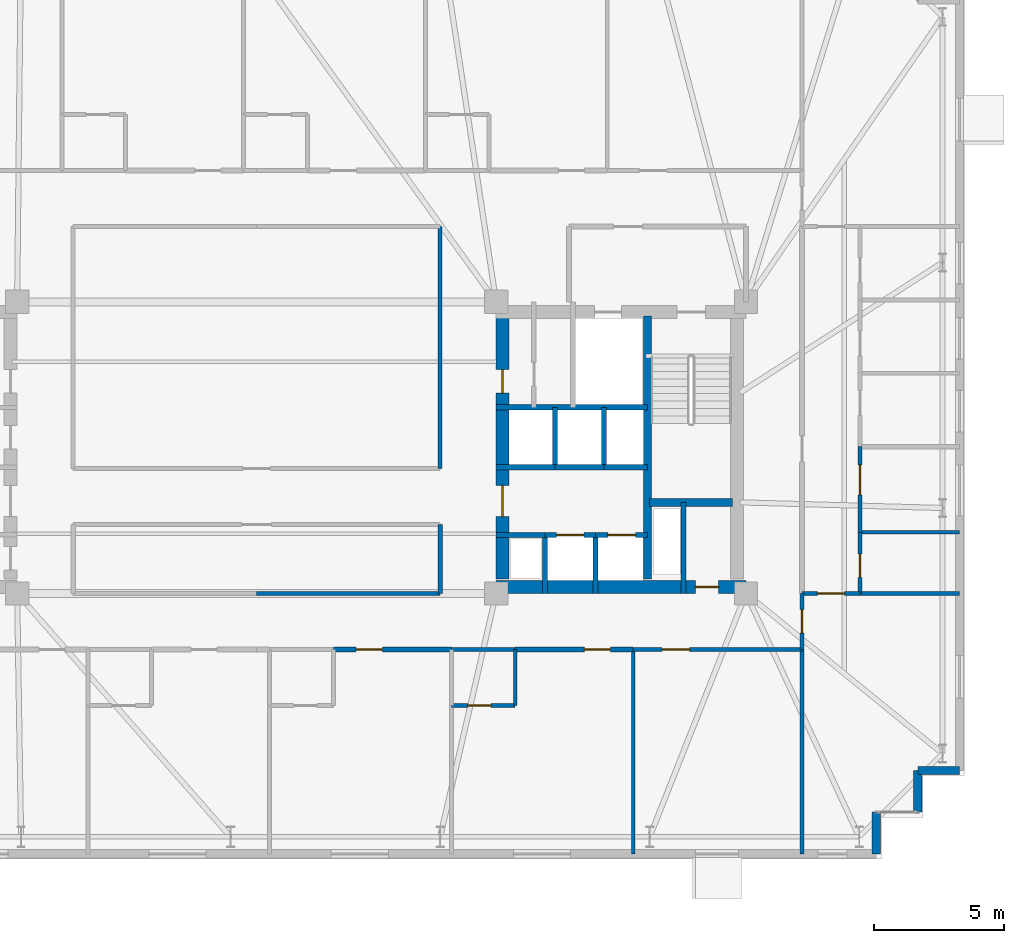
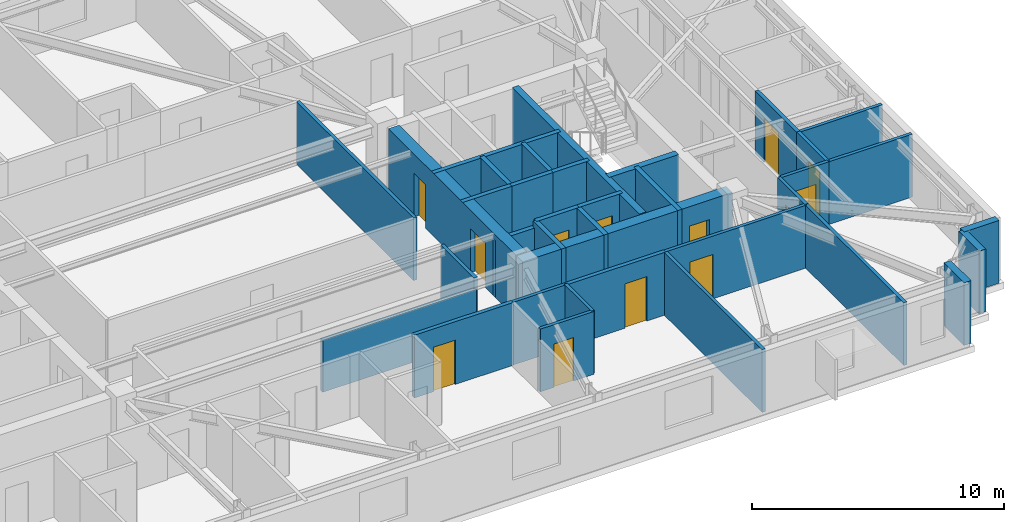
# One storey, part 13 of 17: 36 walls, 13 doors, 13 openings.
"""IFC4 building model written with IfcOpenShell, lengths in metres."""

from ifc_helpers import new_model, si_unit, direction, frame, frame_2d, origin, place, context, subcontext, project, spatial, rectangle, extrude, material, layer, layer_set, type_object, element, fill, save


model = new_model("IFC4")

# Units and contexts
model_context = context("Model", 3, precision=1e-05, world=origin(), true_north=direction((0.0, 1.0)))
body_context = subcontext(model_context, "Body", "Model", "MODEL_VIEW")
ifc_project = project(units=[si_unit("LENGTHUNIT", "METRE"), si_unit("AREAUNIT", "SQUARE_METRE"), si_unit("VOLUMEUNIT", "CUBIC_METRE"), si_unit("PLANEANGLEUNIT", "RADIAN"), si_unit("MASSUNIT", "GRAM", prefix="KILO")], contexts=[model_context])

# Site, building, storey
site_placement = place(None, origin())
site = spatial("IfcSite", under=ifc_project, at=site_placement, CompositionType="ELEMENT")
building_placement = place(site_placement, origin())
building = spatial("IfcBuilding", under=site, at=building_placement, Name="Qobustan Lattice House", CompositionType="ELEMENT")
storey_placement = place(building_placement, frame((0.0, 0.0, 161.14990234375)))
storey = spatial("IfcBuildingStorey", under=building, at=storey_placement, Name="L45", CompositionType="ELEMENT", Elevation=161.14990234375)

# Wall, opening, door
ifc_material_1 = material(Name="Concrete C50/60", Category="concrete")
ifc_layer_1 = layer(ifc_material_1, 0.5)
ifc_layer_set_1 = layer_set([ifc_layer_1], Name="Concrete C50/60")
wall_type_1 = type_object("IfcWallType", Name="WAL-CORE-500", PredefinedType="SHEAR", material=ifc_layer_set_1)
wall_1_placement = place(storey_placement, frame((9.199951171875, -5.35009765625, 0.0), z_axis=(0.0, 0.0, 1.0), x_axis=(1.0, 0.0, 0.0)))
wall_1 = element("IfcWall", 1, at=wall_1_placement, inside=storey, type_object=wall_type_1, Name="L45 split-core shear wall CE-S", PredefinedType="SHEAR", context=body_context, shape_type="SweptSolid", body=[
    extrude(rectangle(XDim=9.60009765625, YDim=0.5, at=frame_2d((4.800048828125, 0.0))), origin(), (0.0, 0.0, 1.0), 3.0400390625),
])
opening_1_placement = place(wall_1_placement, frame((7.64990234375, 0.0, 0.0)))
opening_1 = element("IfcOpeningElement", 2, at=opening_1_placement, cuts=wall_1, Name="Opening RD-01", PredefinedType="OPENING", context=body_context, shape_type="SweptSolid", body=[
    extrude(rectangle(XDim=0.89990234375, YDim=2.10009765625, at=frame_2d((0.449951171875, 1.050048828125))), frame((0.0, 0.260009765625, 0.0), z_axis=(0.0, -1.0, 0.0), x_axis=(1.0, 0.0, 0.0)), (0.0, 0.0, 1.0), 0.52001953125),
])
ifc_material_2 = material(Name="Persian walnut timber and steel frame door", Category="steel")
door_type_1 = type_object("IfcDoorType", Name="DOR-RISER-FD-900x2100", OperationType="NOTDEFINED", PredefinedType="DOOR", material=ifc_material_2)
door_1_placement = place(opening_1_placement, origin())
door_1 = element("IfcDoor", 3, at=door_1_placement, inside=storey, type_object=door_type_1, Name="L45 core service riser access door E", OperationType="SINGLE_SWING_LEFT", OverallHeight=2.10009765625, OverallWidth=0.89990234375, PredefinedType="DOOR", context=body_context, shape_type="SweptSolid", body=[
    extrude(rectangle(XDim=0.89990234375, YDim=2.10009765625, at=frame_2d((0.449951171875, 1.050048828125))), frame((0.0, 0.02490234375, 0.0), z_axis=(0.0, -1.0, 0.0), x_axis=(1.0, 0.0, 0.0)), (0.0, 0.0, 1.0), 0.050048828125),
])
fill(opening_1, door_1)

# Wall, openings, doors
wall_2_placement = place(storey_placement, frame((9.449951171875, -5.050048828125, 0.0), z_axis=(0.0, 0.0, 1.0), x_axis=(0.0, 1.0, 0.0)))
wall_2 = element("IfcWall", 4, at=wall_2_placement, inside=storey, type_object=wall_type_1, Name="L45 split-core shear wall CE-W", PredefinedType="SHEAR", context=body_context, shape_type="SweptSolid", body=[
    extrude(rectangle(XDim=10.10009765625, YDim=0.5, at=frame_2d((5.050048828125, 0.0))), origin(), (0.0, 0.0, 1.0), 3.0400390625),
])
opening_2_placement = place(wall_2_placement, frame((7.14990234375, 0.0, 0.0)))
opening_2 = element("IfcOpeningElement", 5, at=opening_2_placement, cuts=wall_2, Name="Opening RD-01", PredefinedType="OPENING", context=body_context, shape_type="SweptSolid", body=[
    extrude(rectangle(XDim=0.89990234375, YDim=2.10009765625, at=frame_2d((0.449951171875, 1.050048828125))), frame((0.0, 0.260009765625, 0.0), z_axis=(0.0, -1.0, 0.0), x_axis=(1.0, 0.0, 0.0)), (0.0, 0.0, 1.0), 0.52001953125),
])
opening_3_placement = place(wall_2_placement, frame((2.39990234375, 0.0, 0.0)))
opening_3 = element("IfcOpeningElement", 6, at=opening_3_placement, cuts=wall_2, Name="Opening FD-01", PredefinedType="OPENING", context=body_context, shape_type="SweptSolid", body=[
    extrude(rectangle(XDim=1.199951171875, YDim=2.14990234375, at=frame_2d((0.60009765625, 1.074951171875))), frame((0.0, 0.260009765625, 0.0), z_axis=(0.0, -1.0, 0.0), x_axis=(1.0, 0.0, 0.0)), (0.0, 0.0, 1.0), 0.52001953125),
])
ifc_material_3 = material(Name="Persian walnut timber and steel frame door", Category="steel")
door_type_2 = type_object("IfcDoorType", Name="DOR-LOBBY-FD-1200x2150", OperationType="NOTDEFINED", PredefinedType="DOOR", material=ifc_material_3)
door_2_placement = place(opening_3_placement, origin())
door_2 = element("IfcDoor", 7, at=door_2_placement, inside=storey, type_object=door_type_2, Name="L45 East passenger lift lobby fire door", OperationType="SINGLE_SWING_RIGHT", OverallHeight=2.14990234375, OverallWidth=1.199951171875, PredefinedType="DOOR", context=body_context, shape_type="SweptSolid", body=[
    extrude(rectangle(XDim=1.199951171875, YDim=2.14990234375, at=frame_2d((0.60009765625, 1.074951171875))), frame((0.0, 0.02490234375, 0.0), z_axis=(0.0, -1.0, 0.0), x_axis=(1.0, 0.0, 0.0)), (0.0, 0.0, 1.0), 0.050048828125),
])
fill(opening_3, door_2)
door_3_placement = place(opening_2_placement, origin())
door_3 = element("IfcDoor", 8, at=door_3_placement, inside=storey, type_object=door_type_1, Name="L45 Print and mail closet fire door", OperationType="SINGLE_SWING_LEFT", OverallHeight=2.10009765625, OverallWidth=0.89990234375, PredefinedType="DOOR", context=body_context, shape_type="SweptSolid", body=[
    extrude(rectangle(XDim=0.89990234375, YDim=2.10009765625, at=frame_2d((0.449951171875, 1.050048828125))), frame((0.0, 0.02490234375, 0.0), z_axis=(0.0, -1.0, 0.0), x_axis=(1.0, 0.0, 0.0)), (0.0, 0.0, 1.0), 0.050048828125),
])
fill(opening_2, door_3)

# Walls
ifc_material_4 = material(Name="Concrete C50/60", Category="concrete")
ifc_layer_2 = layer(ifc_material_4, 0.280029296875)
ifc_layer_set_2 = layer_set([ifc_layer_2], Name="Concrete C50/60")
wall_type_2 = type_object("IfcWallType", Name="WAL-CORE-SPINE-280", PredefinedType="SHEAR", material=ifc_layer_set_2)
wall_3_placement = place(storey_placement, frame((15.02001953125, -5.050048828125, 0.0), z_axis=(0.0, 0.0, 1.0), x_axis=(0.0, 1.0, 0.0)))
element("IfcWall", 9, at=wall_3_placement, inside=storey, type_object=wall_type_2, Name="L45 split-core shear wall CE-M", PredefinedType="SHEAR", context=body_context, shape_type="SweptSolid", body=[
    extrude(rectangle(XDim=10.10009765625, YDim=0.300048828125, at=frame_2d((5.050048828125, 0.0))), origin(), (0.0, 0.0, 1.0), 3.0400390625),
])
wall_4_placement = place(storey_placement, frame((15.10009765625, -2.110107421875, 0.0), z_axis=(0.0, 0.0, 1.0), x_axis=(1.0, 0.0, 0.0)))
element("IfcWall", 10, at=wall_4_placement, inside=storey, type_object=wall_type_2, Name="L45 split-core shear wall CE-ST", PredefinedType="SHEAR", context=body_context, shape_type="SweptSolid", body=[
    extrude(rectangle(XDim=3.179931640625, YDim=0.300048828125, at=frame_2d((1.58984375, 0.0))), origin(), (0.0, 0.0, 1.0), 3.0400390625),
])
ifc_material_5 = material(Name="Precast concrete C40/50", Category="concrete")
ifc_layer_3 = layer(ifc_material_5, 0.320068359375)
ifc_layer_set_3 = layer_set([ifc_layer_3], Name="Precast concrete C40/50")
wall_type_3 = type_object("IfcWallType", Name="WAL-EXT-STONE-320", PredefinedType="SOLIDWALL", material=ifc_layer_set_3)
for number, where, z_axis, x_axis, name in (
    (11, (27.0, -12.39990234375, 0.0), (0.0, 0.0, 1.0), (-1.0, 0.0, 0.0), "L45 exterior limestone-clad wall 16"),
    (12, (25.39990234375, -12.39990234375, 0.0), (0.0, 0.0, 1.0), (0.0, -1.0, 0.0), "L45 exterior limestone-clad wall 17"),
    (13, (23.800048828125, -14.0, 0.0), (0.0, 0.0, 1.0), (0.0, -1.0, 0.0), "L45 exterior limestone-clad wall 19"),
):
    element("IfcWall", number, at=place(storey_placement, frame(where, z_axis=z_axis, x_axis=x_axis)), inside=storey, type_object=wall_type_3, Name=name, PredefinedType="SOLIDWALL", context=body_context, shape_type="SweptSolid", body=[
        extrude(rectangle(XDim=1.60009765625, YDim=0.320068359375, at=frame_2d((0.800048828125, 0.0))), origin(), (0.0, 0.0, 1.0), 3.0400390625),
    ])

# Wall, opening, door
ifc_material_6 = material(Name="Gypsum fireboard acoustic partition", Category="gypsum")
ifc_layer_4 = layer(ifc_material_6, 0.179931640625)
ifc_layer_set_4 = layer_set([ifc_layer_4], Name="Gypsum fireboard acoustic partition")
wall_type_4 = type_object("IfcWallType", Name="WAL-FIRE-180", PredefinedType="PARTITIONING", material=ifc_layer_set_4)
wall_5_placement = place(storey_placement, frame((7.48291015625, -7.75, 0.0), z_axis=(0.0, 0.0, 1.0), x_axis=(-1.0, 0.0, 0.0)))
wall_5 = element("IfcWall", 14, at=wall_5_placement, inside=storey, type_object=wall_type_4, Name="L45 interior partition 55", PredefinedType="PARTITIONING", context=body_context, shape_type="SweptSolid", body=[
    extrude(rectangle(XDim=4.532958984375, YDim=0.179931640625, at=frame_2d((2.2666015625, 0.0))), origin(), (0.0, 0.0, 1.0), 3.0400390625),
])
opening_4_placement = place(wall_5_placement, frame((2.656494140625, 0.0, 0.0)))
opening_4 = element("IfcOpeningElement", 15, at=opening_4_placement, cuts=wall_5, Name="Opening FD-02", PredefinedType="OPENING", context=body_context, shape_type="SweptSolid", body=[
    extrude(rectangle(XDim=1.0, YDim=2.14990234375, at=frame_2d((0.5, 1.074951171875))), frame((0.0, 0.099853515625, 0.0), z_axis=(0.0, -1.0, 0.0), x_axis=(1.0, 0.0, 0.0)), (0.0, 0.0, 1.0), 0.199951171875),
])
ifc_material_7 = material(Name="Persian walnut timber and steel frame door", Category="steel")
door_type_3 = type_object("IfcDoorType", Name="DOR-UNIT-FD-1000x2150", OperationType="NOTDEFINED", PredefinedType="DOOR", material=ifc_material_7)
door_4_placement = place(opening_4_placement, origin())
door_4 = element("IfcDoor", 16, at=door_4_placement, inside=storey, type_object=door_type_3, Name="L45 South-east floor corridor to Kitchenette and studio apartment L45-S4 door", OperationType="SINGLE_SWING_LEFT", OverallHeight=2.14990234375, OverallWidth=1.0, PredefinedType="DOOR", context=body_context, shape_type="SweptSolid", body=[
    extrude(rectangle(XDim=1.0, YDim=2.14990234375, at=frame_2d((0.5, 1.074951171875))), frame((0.0, 0.02490234375, 0.0), z_axis=(0.0, -1.0, 0.0), x_axis=(1.0, 0.0, 0.0)), (0.0, 0.0, 1.0), 0.050048828125),
])
fill(opening_4, door_4)

wall_6_placement = place(storey_placement, frame((14.467041015625, -7.75, 0.0), z_axis=(0.0, 0.0, 1.0), x_axis=(-1.0, 0.0, 0.0)))
wall_6 = element("IfcWall", 17, at=wall_6_placement, inside=storey, type_object=wall_type_4, Name="L45 interior partition 57", PredefinedType="PARTITIONING", context=body_context, shape_type="SweptSolid", body=[
    extrude(rectangle(XDim=4.533935546875, YDim=0.179931640625, at=frame_2d((2.26708984375, 0.0))), origin(), (0.0, 0.0, 1.0), 3.0400390625),
])
opening_5_placement = place(wall_6_placement, frame((0.876708984375, 0.0, 0.0)))
opening_5 = element("IfcOpeningElement", 18, at=opening_5_placement, cuts=wall_6, Name="Opening FD-02", PredefinedType="OPENING", context=body_context, shape_type="SweptSolid", body=[
    extrude(rectangle(XDim=1.0, YDim=2.14990234375, at=frame_2d((0.5, 1.074951171875))), frame((0.0, 0.099853515625, 0.0), z_axis=(0.0, -1.0, 0.0), x_axis=(1.0, 0.0, 0.0)), (0.0, 0.0, 1.0), 0.199951171875),
])
door_5_placement = place(opening_5_placement, origin())
door_5 = element("IfcDoor", 19, at=door_5_placement, inside=storey, type_object=door_type_3, Name="L45 South-east floor corridor to Kitchenette and studio apartment L45-S5 door", OperationType="SINGLE_SWING_RIGHT", OverallHeight=2.14990234375, OverallWidth=1.0, PredefinedType="DOOR", context=body_context, shape_type="SweptSolid", body=[
    extrude(rectangle(XDim=1.0, YDim=2.14990234375, at=frame_2d((0.5, 1.074951171875))), frame((0.0, 0.02490234375, 0.0), z_axis=(0.0, -1.0, 0.0), x_axis=(1.0, 0.0, 0.0)), (0.0, 0.0, 1.0), 0.050048828125),
])
fill(opening_5, door_5)

ifc_material_8 = material(Name="Acoustic twin-stud gypsum partition", Category="gypsum")
ifc_layer_5 = layer(ifc_material_8, 0.14990234375)
ifc_layer_set_5 = layer_set([ifc_layer_5], Name="Acoustic twin-stud gypsum partition")
wall_type_5 = type_object("IfcWallType", Name="WAL-PART-150", PredefinedType="PARTITIONING", material=ifc_layer_set_5)
wall_7_placement = place(storey_placement, frame((20.949951171875, -5.60009765625, 0.0), z_axis=(0.0, 0.0, 1.0), x_axis=(0.0, -1.0, 0.0)))
wall_7 = element("IfcWall", 20, at=wall_7_placement, inside=storey, type_object=wall_type_5, Name="L45 interior partition 53", PredefinedType="PARTITIONING", context=body_context, shape_type="SweptSolid", body=[
    extrude(rectangle(XDim=2.14990234375, YDim=0.14990234375, at=frame_2d((1.074951171875, 0.0))), origin(), (0.0, 0.0, 1.0), 3.0400390625),
])
opening_6_placement = place(wall_7_placement, frame((0.625, 0.0, 0.0)))
opening_6 = element("IfcOpeningElement", 21, at=opening_6_placement, cuts=wall_7, Name="Opening WD-01", PredefinedType="OPENING", context=body_context, shape_type="SweptSolid", body=[
    extrude(rectangle(XDim=0.89990234375, YDim=2.10009765625, at=frame_2d((0.449951171875, 1.050048828125))), frame((0.0, 0.0849609375, 0.0), z_axis=(0.0, -1.0, 0.0), x_axis=(1.0, 0.0, 0.0)), (0.0, 0.0, 1.0), 0.169921875),
])
ifc_material_9 = material(Name="Persian walnut timber and steel frame door", Category="steel")
door_type_4 = type_object("IfcDoorType", Name="DOR-WET-900x2100", OperationType="NOTDEFINED", PredefinedType="DOOR", material=ifc_material_9)
door_6_placement = place(opening_6_placement, origin())
door_6 = element("IfcDoor", 22, at=door_6_placement, inside=storey, type_object=door_type_4, Name="L45 South-east floor corridor to Reading study room L45ES door", OperationType="SINGLE_SWING_RIGHT", OverallHeight=2.10009765625, OverallWidth=0.89990234375, PredefinedType="DOOR", context=body_context, shape_type="SweptSolid", body=[
    extrude(rectangle(XDim=0.89990234375, YDim=2.10009765625, at=frame_2d((0.449951171875, 1.050048828125))), frame((0.0, 0.02490234375, 0.0), z_axis=(0.0, -1.0, 0.0), x_axis=(1.0, 0.0, 0.0)), (0.0, 0.0, 1.0), 0.050048828125),
])
fill(opening_6, door_6)

wall_8_placement = place(storey_placement, frame((20.949951171875, -7.75, 0.0), z_axis=(0.0, 0.0, 1.0), x_axis=(-1.0, 0.0, 0.0)))
wall_8 = element("IfcWall", 23, at=wall_8_placement, inside=storey, type_object=wall_type_5, Name="L45 interior partition 59", PredefinedType="PARTITIONING", context=body_context, shape_type="SweptSolid", body=[
    extrude(rectangle(XDim=6.48291015625, YDim=0.14990234375, at=frame_2d((3.241455078125, 0.0))), origin(), (0.0, 0.0, 1.0), 3.0400390625),
])
opening_7_placement = place(wall_8_placement, frame((4.31884765625, 0.0, 0.0)))
opening_7 = element("IfcOpeningElement", 24, at=opening_7_placement, cuts=wall_8, Name="Opening ID-02", PredefinedType="OPENING", context=body_context, shape_type="SweptSolid", body=[
    extrude(rectangle(XDim=1.050048828125, YDim=2.14990234375, at=frame_2d((0.52490234375, 1.074951171875))), frame((0.0, 0.0849609375, 0.0), z_axis=(0.0, -1.0, 0.0), x_axis=(1.0, 0.0, 0.0)), (0.0, 0.0, 1.0), 0.169921875),
])
ifc_material_10 = material(Name="Persian walnut timber and steel frame door", Category="steel")
door_type_5 = type_object("IfcDoorType", Name="DOR-STUDY-1050x2150", OperationType="NOTDEFINED", PredefinedType="DOOR", material=ifc_material_10)
door_7_placement = place(opening_7_placement, origin())
door_7 = element("IfcDoor", 25, at=door_7_placement, inside=storey, type_object=door_type_5, Name="L45 South-east floor corridor to Group study room door", OperationType="SINGLE_SWING_LEFT", OverallHeight=2.14990234375, OverallWidth=1.050048828125, PredefinedType="DOOR", context=body_context, shape_type="SweptSolid", body=[
    extrude(rectangle(XDim=1.050048828125, YDim=2.14990234375, at=frame_2d((0.52490234375, 1.074951171875))), frame((0.0, 0.02490234375, 0.0), z_axis=(0.0, -1.0, 0.0), x_axis=(1.0, 0.0, 0.0)), (0.0, 0.0, 1.0), 0.050048828125),
])
fill(opening_7, door_7)

# Wall
wall_9_placement = place(storey_placement, frame((7.050048828125, -0.800048828125, 0.0), z_axis=(0.0, 0.0, 1.0), x_axis=(0.0, 1.0, 0.0)))
element("IfcWall", 26, at=wall_9_placement, inside=storey, type_object=wall_type_5, Name="L45 interior partition 69", PredefinedType="PARTITIONING", context=body_context, shape_type="SweptSolid", body=[
    extrude(rectangle(XDim=9.300048828125, YDim=0.14990234375, at=frame_2d((4.64990234375, 0.0))), origin(), (0.0, 0.0, 1.0), 3.0400390625),
])

# Wall, opening, door
wall_10_placement = place(storey_placement, frame((23.179931640625, -5.60009765625, 0.0), z_axis=(0.0, 0.0, 1.0), x_axis=(-1.0, 0.0, 0.0)))
wall_10 = element("IfcWall", 27, at=wall_10_placement, inside=storey, type_object=wall_type_5, Name="L45 interior partition 83", PredefinedType="PARTITIONING", context=body_context, shape_type="SweptSolid", body=[
    extrude(rectangle(XDim=2.22998046875, YDim=0.14990234375, at=frame_2d((1.114990234375, 0.0))), origin(), (0.0, 0.0, 1.0), 3.0400390625),
])
opening_8_placement = place(wall_10_placement, frame((0.590087890625, 0.0, 0.0)))
opening_8 = element("IfcOpeningElement", 28, at=opening_8_placement, cuts=wall_10, Name="Opening ID-02", PredefinedType="OPENING", context=body_context, shape_type="SweptSolid", body=[
    extrude(rectangle(XDim=1.050048828125, YDim=2.14990234375, at=frame_2d((0.52490234375, 1.074951171875))), frame((0.0, 0.0849609375, 0.0), z_axis=(0.0, -1.0, 0.0), x_axis=(1.0, 0.0, 0.0)), (0.0, 0.0, 1.0), 0.169921875),
])
door_8_placement = place(opening_8_placement, origin())
door_8 = element("IfcDoor", 29, at=door_8_placement, inside=storey, type_object=door_type_5, Name="L45 Residence entrance hall L45E to Reading study room L45ES door", OperationType="SINGLE_SWING_RIGHT", OverallHeight=2.14990234375, OverallWidth=1.050048828125, PredefinedType="DOOR", context=body_context, shape_type="SweptSolid", body=[
    extrude(rectangle(XDim=1.050048828125, YDim=2.14990234375, at=frame_2d((0.52490234375, 1.074951171875))), frame((0.0, 0.02490234375, 0.0), z_axis=(0.0, -1.0, 0.0), x_axis=(1.0, 0.0, 0.0)), (0.0, 0.0, 1.0), 0.050048828125),
])
fill(opening_8, door_8)

# Walls
for number, where, z_axis, x_axis, name in (
    (30, (20.949951171875, -15.60009765625, 0.0), (0.0, 0.0, 1.0), (0.0, 1.0, 0.0), "L45 interior partition 92"),
    (31, (14.467041015625, -7.75, 0.0), (0.0, 0.0, 1.0), (0.0, -1.0, 0.0), "L45 interior partition 128"),
):
    element("IfcWall", number, at=place(storey_placement, frame(where, z_axis=z_axis, x_axis=x_axis)), inside=storey, type_object=wall_type_5, Name=name, PredefinedType="PARTITIONING", context=body_context, shape_type="SweptSolid", body=[
        extrude(rectangle(XDim=7.85009765625, YDim=0.14990234375, at=frame_2d((3.925048828125, 0.0))), origin(), (0.0, 0.0, 1.0), 3.0400390625),
    ])
ifc_material_11 = material(Name="High-mass acoustic twin-stud partition", Category="gypsum")
ifc_layer_6 = layer(ifc_material_11, 0.1650390625)
ifc_layer_set_6 = layer_set([ifc_layer_6], Name="High-mass acoustic twin-stud partition")
wall_type_6 = type_object("IfcWallType", Name="WAL-PART-165", PredefinedType="PARTITIONING", material=ifc_layer_set_6)
wall_11_placement = place(storey_placement, frame((0.0, -5.60009765625, 0.0), z_axis=(0.0, 0.0, 1.0), x_axis=(1.0, 0.0, 0.0)))
element("IfcWall", 32, at=wall_11_placement, inside=storey, type_object=wall_type_6, Name="L45 interior partition 60", PredefinedType="PARTITIONING", context=body_context, shape_type="SweptSolid", body=[
    extrude(rectangle(XDim=7.050048828125, YDim=0.1650390625, at=frame_2d((3.52490234375, 0.0))), origin(), (0.0, 0.0, 1.0), 2.525146484375),
])
wall_12_placement = place(storey_placement, frame((7.050048828125, -5.60009765625, 0.0), z_axis=(0.0, 0.0, 1.0), x_axis=(0.0, 1.0, 0.0)))
element("IfcWall", 33, at=wall_12_placement, inside=storey, type_object=wall_type_6, Name="L45 interior partition 70", PredefinedType="PARTITIONING", context=body_context, shape_type="SweptSolid", body=[
    extrude(rectangle(XDim=2.650146484375, YDim=0.1650390625, at=frame_2d((1.3251953125, 0.0))), origin(), (0.0, 0.0, 1.0), 3.0400390625),
])

# Wall, opening, door
wall_13_placement = place(storey_placement, frame((23.179931640625, 0.0400390625, 0.0), z_axis=(0.0, 0.0, 1.0), x_axis=(0.0, -1.0, 0.0)))
wall_13 = element("IfcWall", 34, at=wall_13_placement, inside=storey, type_object=wall_type_6, Name="L45 interior partition 85", PredefinedType="PARTITIONING", context=body_context, shape_type="SweptSolid", body=[
    extrude(rectangle(XDim=3.2900390625, YDim=0.1650390625, at=frame_2d((1.64501953125, 0.0))), origin(), (0.0, 0.0, 1.0), 3.0400390625),
])
opening_9_placement = place(wall_13_placement, frame((0.702392578125, 0.0, 0.0)))
opening_9 = element("IfcOpeningElement", 35, at=opening_9_placement, cuts=wall_13, Name="Opening ID-03", PredefinedType="OPENING", context=body_context, shape_type="SweptSolid", body=[
    extrude(rectangle(XDim=1.14990234375, YDim=2.14990234375, at=frame_2d((0.574951171875, 1.074951171875))), frame((0.0, 0.092529296875, 0.0), z_axis=(0.0, -1.0, 0.0), x_axis=(1.0, 0.0, 0.0)), (0.0, 0.0, 1.0), 0.18505859375),
])
ifc_material_12 = material(Name="Persian walnut timber and steel frame door", Category="steel")
door_type_6 = type_object("IfcDoorType", Name="DOR-KITCH-1150x2150", OperationType="NOTDEFINED", PredefinedType="DOOR", material=ifc_material_12)
door_9_placement = place(opening_9_placement, origin())
door_9 = element("IfcDoor", 36, at=door_9_placement, inside=storey, type_object=door_type_6, Name="L45 Residence entrance hall L45E to Shared kitchen L45E door", OperationType="SINGLE_SWING_RIGHT", OverallHeight=2.14990234375, OverallWidth=1.14990234375, PredefinedType="DOOR", context=body_context, shape_type="SweptSolid", body=[
    extrude(rectangle(XDim=1.14990234375, YDim=2.14990234375, at=frame_2d((0.574951171875, 1.074951171875))), frame((0.0, 0.02490234375, 0.0), z_axis=(0.0, -1.0, 0.0), x_axis=(1.0, 0.0, 0.0)), (0.0, 0.0, 1.0), 0.050048828125),
])
fill(opening_9, door_9)

# Walls
ifc_material_13 = material(Name="Concrete C40/50", Category="concrete")
ifc_layer_7 = layer(ifc_material_13, 0.199951171875)
ifc_layer_set_7 = layer_set([ifc_layer_7], Name="Concrete C40/50")
wall_type_7 = type_object("IfcWallType", Name="WAL-SHAFT-200", PredefinedType="PARTITIONING", material=ifc_layer_set_7)
wall_14_placement = place(storey_placement, frame((16.39990234375, -2.110107421875, 0.0), z_axis=(0.0, 0.0, 1.0), x_axis=(0.0, -1.0, 0.0)))
element("IfcWall", 37, at=wall_14_placement, inside=storey, type_object=wall_type_7, Name="L45 interior partition 13", PredefinedType="PARTITIONING", context=body_context, shape_type="SweptSolid", body=[
    extrude(rectangle(XDim=3.489990234375, YDim=0.199951171875, at=frame_2d((1.7451171875, 0.0))), origin(), (0.0, 0.0, 1.0), 3.0400390625),
])
wall_15_placement = place(storey_placement, frame((9.199951171875, -3.35009765625, 0.0), z_axis=(0.0, 0.0, 1.0), x_axis=(1.0, 0.0, 0.0)))
element("IfcWall", 38, at=wall_15_placement, inside=storey, type_object=wall_type_7, Name="L45 interior partition 20", PredefinedType="PARTITIONING", context=body_context, shape_type="SweptSolid", body=[
    extrude(rectangle(XDim=1.880126953125, YDim=0.199951171875, at=frame_2d((0.93994140625, 0.0))), origin(), (0.0, 0.0, 1.0), 2.755126953125),
])

# Wall, opening, door
wall_16_placement = place(storey_placement, frame((11.080078125, -3.35009765625, 0.0), z_axis=(0.0, 0.0, 1.0), x_axis=(1.0, 0.0, 0.0)))
wall_16 = element("IfcWall", 39, at=wall_16_placement, inside=storey, type_object=wall_type_7, Name="L45 interior partition 21", PredefinedType="PARTITIONING", context=body_context, shape_type="SweptSolid", body=[
    extrude(rectangle(XDim=1.93994140625, YDim=0.199951171875, at=frame_2d((0.969970703125, 0.0))), origin(), (0.0, 0.0, 1.0), 3.0400390625),
])
opening_10_placement = place(wall_16_placement, frame((0.445068359375, 0.0, 0.0)))
opening_10 = element("IfcOpeningElement", 40, at=opening_10_placement, cuts=wall_16, Name="Opening LD-01", PredefinedType="OPENING", context=body_context, shape_type="SweptSolid", body=[
    extrude(rectangle(XDim=1.050048828125, YDim=2.10009765625, at=frame_2d((0.52490234375, 1.050048828125))), frame((0.0, 0.10986328125, 0.0), z_axis=(0.0, -1.0, 0.0), x_axis=(1.0, 0.0, 0.0)), (0.0, 0.0, 1.0), 0.219970703125),
])
ifc_material_14 = material(Name="Persian walnut timber and steel frame door", Category="steel")
door_type_7 = type_object("IfcDoorType", Name="DOR-LIFT-LD-1050x2100", OperationType="NOTDEFINED", PredefinedType="DOOR", material=ifc_material_14)
door_10_placement = place(opening_10_placement, origin())
door_10 = element("IfcDoor", 41, at=door_10_placement, inside=storey, type_object=door_type_7, Name="L45 lift landing door", OperationType="DOUBLE_DOOR_SLIDING", OverallHeight=2.10009765625, OverallWidth=1.050048828125, PredefinedType="DOOR", context=body_context, shape_type="SweptSolid", body=[
    extrude(rectangle(XDim=1.050048828125, YDim=2.10009765625, at=frame_2d((0.52490234375, 1.050048828125))), frame((0.0, 0.02490234375, 0.0), z_axis=(0.0, -1.0, 0.0), x_axis=(1.0, 0.0, 0.0)), (0.0, 0.0, 1.0), 0.050048828125),
])
fill(opening_10, door_10)

wall_17_placement = place(storey_placement, frame((13.02001953125, -3.35009765625, 0.0), z_axis=(0.0, 0.0, 1.0), x_axis=(1.0, 0.0, 0.0)))
wall_17 = element("IfcWall", 42, at=wall_17_placement, inside=storey, type_object=wall_type_7, Name="L45 interior partition 22", PredefinedType="PARTITIONING", context=body_context, shape_type="SweptSolid", body=[
    extrude(rectangle(XDim=2.0, YDim=0.199951171875, at=frame_2d((1.0, 0.0))), origin(), (0.0, 0.0, 1.0), 3.0400390625),
])
opening_11_placement = place(wall_17_placement, frame((0.47509765625, 0.0, 0.0)))
opening_11 = element("IfcOpeningElement", 43, at=opening_11_placement, cuts=wall_17, Name="Opening LD-01", PredefinedType="OPENING", context=body_context, shape_type="SweptSolid", body=[
    extrude(rectangle(XDim=1.050048828125, YDim=2.10009765625, at=frame_2d((0.52490234375, 1.050048828125))), frame((0.0, 0.10986328125, 0.0), z_axis=(0.0, -1.0, 0.0), x_axis=(1.0, 0.0, 0.0)), (0.0, 0.0, 1.0), 0.219970703125),
])
door_11_placement = place(opening_11_placement, origin())
door_11 = element("IfcDoor", 44, at=door_11_placement, inside=storey, type_object=door_type_7, Name="L45 lift landing door", OperationType="DOUBLE_DOOR_SLIDING", OverallHeight=2.10009765625, OverallWidth=1.050048828125, PredefinedType="DOOR", context=body_context, shape_type="SweptSolid", body=[
    extrude(rectangle(XDim=1.050048828125, YDim=2.10009765625, at=frame_2d((0.52490234375, 1.050048828125))), frame((0.0, 0.02490234375, 0.0), z_axis=(0.0, -1.0, 0.0), x_axis=(1.0, 0.0, 0.0)), (0.0, 0.0, 1.0), 0.050048828125),
])
fill(opening_11, door_11)

# Walls
wall_18_placement = place(storey_placement, frame((11.4599609375, -0.75, 0.0), z_axis=(0.0, 0.0, 1.0), x_axis=(-1.0, 0.0, 0.0)))
element("IfcWall", 45, at=wall_18_placement, inside=storey, type_object=wall_type_7, Name="L45 interior partition 23", PredefinedType="PARTITIONING", context=body_context, shape_type="SweptSolid", body=[
    extrude(rectangle(XDim=2.260009765625, YDim=0.199951171875, at=frame_2d((1.1298828125, 0.0))), origin(), (0.0, 0.0, 1.0), 3.0400390625),
])
wall_19_placement = place(storey_placement, frame((13.340087890625, -0.75, 0.0), z_axis=(0.0, 0.0, 1.0), x_axis=(-1.0, 0.0, 0.0)))
element("IfcWall", 46, at=wall_19_placement, inside=storey, type_object=wall_type_7, Name="L45 interior partition 24", PredefinedType="PARTITIONING", context=body_context, shape_type="SweptSolid", body=[
    extrude(rectangle(XDim=1.880126953125, YDim=0.199951171875, at=frame_2d((0.93994140625, 0.0))), origin(), (0.0, 0.0, 1.0), 3.0400390625),
])
wall_20_placement = place(storey_placement, frame((15.02001953125, -0.75, 0.0), z_axis=(0.0, 0.0, 1.0), x_axis=(-1.0, 0.0, 0.0)))
element("IfcWall", 47, at=wall_20_placement, inside=storey, type_object=wall_type_7, Name="L45 interior partition 25", PredefinedType="PARTITIONING", context=body_context, shape_type="SweptSolid", body=[
    extrude(rectangle(XDim=1.679931640625, YDim=0.199951171875, at=frame_2d((0.83984375, 0.0))), origin(), (0.0, 0.0, 1.0), 3.0400390625),
])
for number, where, z_axis, x_axis, name in (
    (48, (11.080078125, -5.60009765625, 0.0), (0.0, 0.0, 1.0), (0.0, 1.0, 0.0), "L45 interior partition 27"),
    (49, (13.02001953125, -5.60009765625, 0.0), (0.0, 0.0, 1.0), (0.0, 1.0, 0.0), "L45 interior partition 28"),
):
    element("IfcWall", number, at=place(storey_placement, frame(where, z_axis=z_axis, x_axis=x_axis)), inside=storey, type_object=wall_type_7, Name=name, PredefinedType="PARTITIONING", context=body_context, shape_type="SweptSolid", body=[
        extrude(rectangle(XDim=2.25, YDim=0.199951171875, at=frame_2d((1.125, 0.0))), origin(), (0.0, 0.0, 1.0), 3.0400390625),
    ])
for number, where, z_axis, x_axis, name in (
    (50, (11.4599609375, -0.75, 0.0), (0.0, 0.0, 1.0), (0.0, 1.0, 0.0), "L45 interior partition 29"),
    (51, (13.340087890625, -0.75, 0.0), (0.0, 0.0, 1.0), (0.0, 1.0, 0.0), "L45 interior partition 30"),
):
    element("IfcWall", number, at=place(storey_placement, frame(where, z_axis=z_axis, x_axis=x_axis)), inside=storey, type_object=wall_type_7, Name=name, PredefinedType="PARTITIONING", context=body_context, shape_type="SweptSolid", body=[
        extrude(rectangle(XDim=2.300048828125, YDim=0.199951171875, at=frame_2d((1.14990234375, 0.0))), origin(), (0.0, 0.0, 1.0), 3.0400390625),
    ])
wall_21_placement = place(storey_placement, frame((9.199951171875, 1.550048828125, 0.0), z_axis=(0.0, 0.0, 1.0), x_axis=(1.0, 0.0, 0.0)))
element("IfcWall", 52, at=wall_21_placement, inside=storey, type_object=wall_type_7, Name="L45 interior partition 130", PredefinedType="PARTITIONING", context=body_context, shape_type="SweptSolid", body=[
    extrude(rectangle(XDim=5.820068359375, YDim=0.199951171875, at=frame_2d((2.91015625, 0.0))), origin(), (0.0, 0.0, 1.0), 3.0400390625),
])
ifc_material_15 = material(Name="Moisture-resistant acoustic plumbing wall", Category="gypsum")
ifc_layer_8 = layer(ifc_material_15, 0.14990234375)
ifc_layer_set_8 = layer_set([ifc_layer_8], Name="Moisture-resistant acoustic plumbing wall")
wall_type_8 = type_object("IfcWallType", Name="WAL-WET-150", PredefinedType="PLUMBINGWALL", material=ifc_layer_set_8)
wall_22_placement = place(storey_placement, frame((9.93310546875, -7.75, 0.0), z_axis=(0.0, 0.0, 1.0), x_axis=(-1.0, 0.0, 0.0)))
element("IfcWall", 53, at=wall_22_placement, inside=storey, type_object=wall_type_8, Name="L45 interior partition 58", PredefinedType="PLUMBINGWALL", context=body_context, shape_type="SweptSolid", body=[
    extrude(rectangle(XDim=2.4501953125, YDim=0.14990234375, at=frame_2d((1.22509765625, 0.0))), origin(), (0.0, 0.0, 1.0), 3.0400390625),
])

# Wall, opening, door
wall_23_placement = place(storey_placement, frame((23.179931640625, -3.25, 0.0), z_axis=(0.0, 0.0, 1.0), x_axis=(0.0, -1.0, 0.0)))
wall_23 = element("IfcWall", 54, at=wall_23_placement, inside=storey, type_object=wall_type_8, Name="L45 interior partition 84", PredefinedType="PLUMBINGWALL", context=body_context, shape_type="SweptSolid", body=[
    extrude(rectangle(XDim=2.35009765625, YDim=0.14990234375, at=frame_2d((1.175048828125, 0.0))), origin(), (0.0, 0.0, 1.0), 3.0400390625),
])
opening_12_placement = place(wall_23_placement, frame((0.833740234375, 0.0, 0.0)))
opening_12 = element("IfcOpeningElement", 55, at=opening_12_placement, cuts=wall_23, Name="Opening WD-01", PredefinedType="OPENING", context=body_context, shape_type="SweptSolid", body=[
    extrude(rectangle(XDim=0.89990234375, YDim=2.10009765625, at=frame_2d((0.449951171875, 1.050048828125))), frame((0.0, 0.0849609375, 0.0), z_axis=(0.0, -1.0, 0.0), x_axis=(1.0, 0.0, 0.0)), (0.0, 0.0, 1.0), 0.169921875),
])
door_12_placement = place(opening_12_placement, origin())
door_12 = element("IfcDoor", 56, at=door_12_placement, inside=storey, type_object=door_type_4, Name="L45 Residence entrance hall L45E to Shared bathroom L45E door", OperationType="SINGLE_SWING_LEFT", OverallHeight=2.10009765625, OverallWidth=0.89990234375, PredefinedType="DOOR", context=body_context, shape_type="SweptSolid", body=[
    extrude(rectangle(XDim=0.89990234375, YDim=2.10009765625, at=frame_2d((0.449951171875, 1.050048828125))), frame((0.0, 0.02490234375, 0.0), z_axis=(0.0, -1.0, 0.0), x_axis=(1.0, 0.0, 0.0)), (0.0, 0.0, 1.0), 0.050048828125),
])
fill(opening_12, door_12)

# Walls
for number, where, z_axis, x_axis, name in (
    (57, (23.179931640625, -5.60009765625, 0.0), (0.0, 0.0, 1.0), (1.0, 0.0, 0.0), "L45 interior partition 91"),
    (58, (23.179931640625, -3.25, 0.0), (0.0, 0.0, 1.0), (1.0, 0.0, 0.0), "L45 interior partition 93"),
):
    element("IfcWall", number, at=place(storey_placement, frame(where, z_axis=z_axis, x_axis=x_axis)), inside=storey, type_object=wall_type_8, Name=name, PredefinedType="PLUMBINGWALL", context=body_context, shape_type="SweptSolid", body=[
        extrude(rectangle(XDim=3.820068359375, YDim=0.14990234375, at=frame_2d((1.91015625, 0.0))), origin(), (0.0, 0.0, 1.0), 3.0400390625),
    ])

# Wall, opening, door
wall_24_placement = place(storey_placement, frame((7.48291015625, -9.89990234375, 0.0), z_axis=(0.0, 0.0, 1.0), x_axis=(1.0, 0.0, 0.0)))
wall_24 = element("IfcWall", 59, at=wall_24_placement, inside=storey, type_object=wall_type_8, Name="L45 interior partition 126", PredefinedType="PLUMBINGWALL", context=body_context, shape_type="SweptSolid", body=[
    extrude(rectangle(XDim=2.4501953125, YDim=0.14990234375, at=frame_2d((1.22509765625, 0.0))), origin(), (0.0, 0.0, 1.0), 3.0400390625),
])
opening_13_placement = place(wall_24_placement, frame((0.62890625, 0.0, 0.0)))
opening_13 = element("IfcOpeningElement", 60, at=opening_13_placement, cuts=wall_24, Name="Opening WD-01", PredefinedType="OPENING", context=body_context, shape_type="SweptSolid", body=[
    extrude(rectangle(XDim=0.89990234375, YDim=2.10009765625, at=frame_2d((0.449951171875, 1.050048828125))), frame((0.0, 0.0849609375, 0.0), z_axis=(0.0, -1.0, 0.0), x_axis=(1.0, 0.0, 0.0)), (0.0, 0.0, 1.0), 0.169921875),
])
door_13_placement = place(opening_13_placement, origin())
door_13 = element("IfcDoor", 61, at=door_13_placement, inside=storey, type_object=door_type_4, Name="L45 Kitchenette and studio apartment L45-S5 to En-suite bathroom L45-S5 door", OperationType="SINGLE_SWING_RIGHT", OverallHeight=2.10009765625, OverallWidth=0.89990234375, PredefinedType="DOOR", context=body_context, shape_type="SweptSolid", body=[
    extrude(rectangle(XDim=0.89990234375, YDim=2.10009765625, at=frame_2d((0.449951171875, 1.050048828125))), frame((0.0, 0.02490234375, 0.0), z_axis=(0.0, -1.0, 0.0), x_axis=(1.0, 0.0, 0.0)), (0.0, 0.0, 1.0), 0.050048828125),
])
fill(opening_13, door_13)

# Wall
wall_25_placement = place(storey_placement, frame((9.93310546875, -9.89990234375, 0.0), z_axis=(0.0, 0.0, 1.0), x_axis=(0.0, 1.0, 0.0)))
element("IfcWall", 62, at=wall_25_placement, inside=storey, type_object=wall_type_8, Name="L45 interior partition 127", PredefinedType="PLUMBINGWALL", context=body_context, shape_type="SweptSolid", body=[
    extrude(rectangle(XDim=2.14990234375, YDim=0.14990234375, at=frame_2d((1.074951171875, 0.0))), origin(), (0.0, 0.0, 1.0), 3.0400390625),
])

save(model, "model.ifc")
